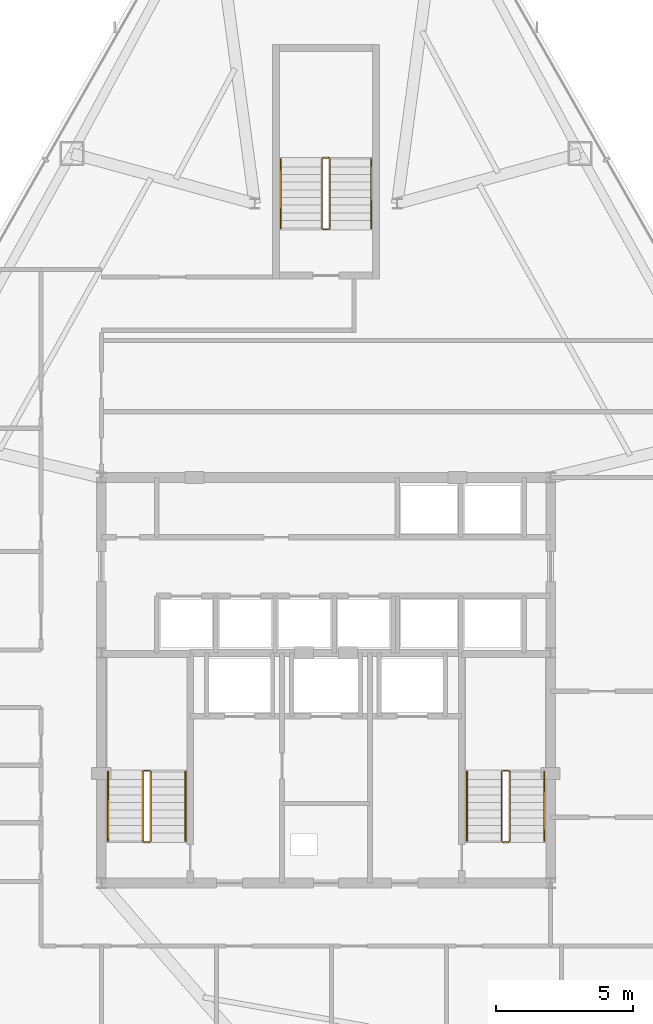
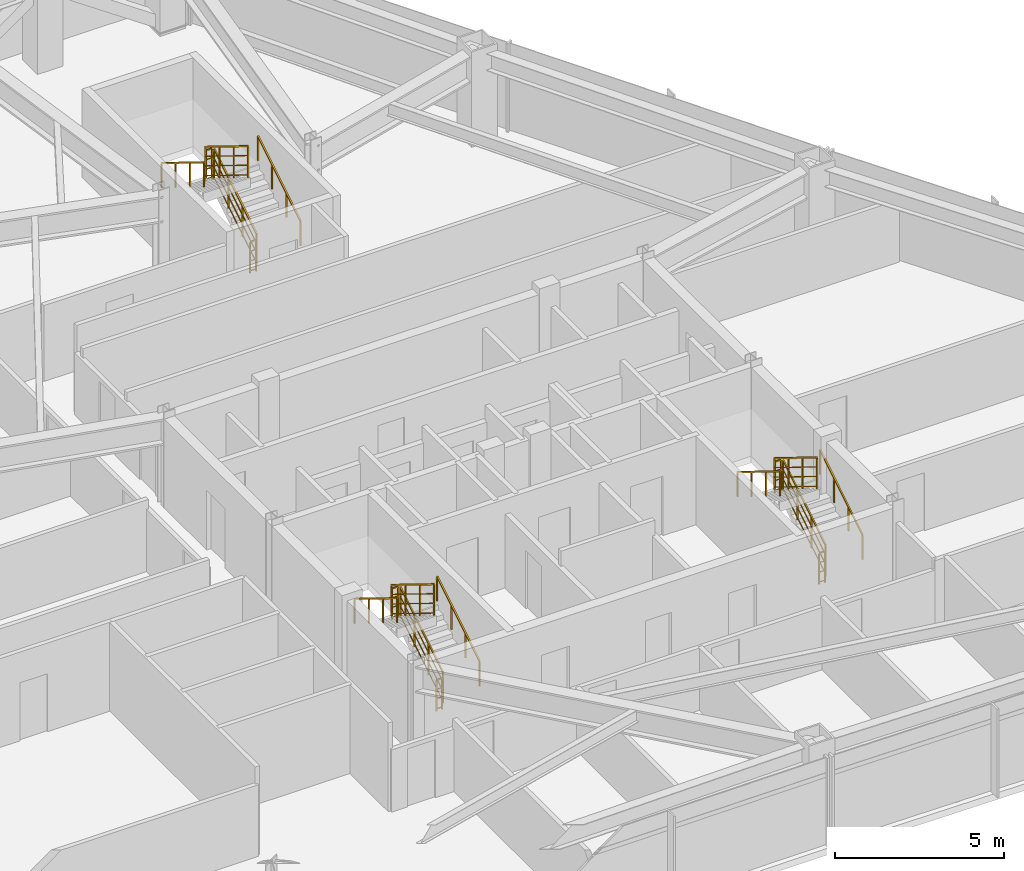
# One storey, part 13 of 13: 18 railings.
"""IFC4 building model written with IfcOpenShell, lengths in metres."""

from ifc_helpers import new_model, si_unit, direction, frame, origin, origin_2d, place, context, subcontext, project, spatial, rectangle, extrude, material, type_object, element, save


model = new_model("IFC4")

# Units and contexts
model_context = context("Model", 3, precision=1e-05, world=origin(), true_north=direction((0.0, 1.0)))
body_context = subcontext(model_context, "Body", "Model", "MODEL_VIEW")
ifc_project = project(units=[si_unit("LENGTHUNIT", "METRE"), si_unit("AREAUNIT", "SQUARE_METRE"), si_unit("VOLUMEUNIT", "CUBIC_METRE"), si_unit("PLANEANGLEUNIT", "RADIAN"), si_unit("MASSUNIT", "GRAM", prefix="KILO")], contexts=[model_context])

# Site, building, storey
site_placement = place(None, origin())
site = spatial("IfcSite", under=ifc_project, at=site_placement, CompositionType="ELEMENT")
building_placement = place(site_placement, origin())
building = spatial("IfcBuilding", under=site, at=building_placement, Name="Varakhsha Concourse Tower", CompositionType="ELEMENT")
storey_placement = place(building_placement, frame((0.0, 0.0, 133.25)))
storey = spatial("IfcBuildingStorey", under=building, at=storey_placement, Name="L38", CompositionType="ELEMENT", Elevation=133.25)

# Railings
ifc_material = material(Name="Brushed Austenitic Stainless Steel AISI 316", Category="steel")
railing_type_1 = type_object("IfcRailingType", Name="RL-STAIR-GUARD-1100", PredefinedType="GUARDRAIL", material=ifc_material)
railing_1_placement = place(storey_placement, frame((33.610107421875, 17.93994140625, 0.172607421875)))
element("IfcRailing", 1, at=railing_1_placement, inside=storey, type_object=railing_type_1, Name="L38 ST1 stair guard 1", PredefinedType="GUARDRAIL", context=body_context, shape_type="SweptSolid", body=[
    extrude(rectangle(XDim=0.048095703125, YDim=0.048095703125, at=origin_2d()), frame((0.0, 0.0, 1.1259765625), z_axis=(0.0, 0.851400495292, 0.524516154772), x_axis=(-1.0, 0.0, 0.0)), (0.0, 0.0, 1.0), 2.9599609375),
    extrude(rectangle(XDim=0.028076171875, YDim=0.028076171875, at=origin_2d()), frame((0.0, 0.0, 0.080078125), z_axis=(0.0, 0.851400495292, 0.524516154772), x_axis=(-1.0, 0.0, 0.0)), (0.0, 0.0, 1.0), 2.9599609375),
    extrude(rectangle(XDim=0.028076171875, YDim=0.028076171875, at=origin_2d()), frame((0.0, 0.0, 0.43701171875), z_axis=(0.0, 0.851400495292, 0.524516154772), x_axis=(-1.0, 0.0, 0.0)), (0.0, 0.0, 1.0), 2.9599609375),
    extrude(rectangle(XDim=0.028076171875, YDim=0.028076171875, at=origin_2d()), frame((0.0, 0.0, 0.781982421875), z_axis=(0.0, 0.851400495292, 0.524516154772), x_axis=(-1.0, 0.0, 0.0)), (0.0, 0.0, 1.0), 2.9599609375),
    extrude(rectangle(XDim=0.0419921875, YDim=0.0419921875, at=origin_2d()), origin(), (0.0, 0.0, 1.0), 1.101806640625),
    extrude(rectangle(XDim=0.0419921875, YDim=0.0419921875, at=origin_2d()), frame((0.0, 0.840087890625, 0.517578125)), (0.0, 0.0, 1.0), 1.101806640625),
    extrude(rectangle(XDim=0.0419921875, YDim=0.0419921875, at=origin_2d()), frame((0.0, 1.679931640625, 1.034912109375)), (0.0, 0.0, 1.0), 1.101806640625),
    extrude(rectangle(XDim=0.0419921875, YDim=0.0419921875, at=origin_2d()), frame((0.0, 2.52001953125, 1.552490234375)), (0.0, 0.0, 1.0), 1.101806640625),
])
railing_2_placement = place(storey_placement, frame((33.56005859375, 20.510009765625, 1.72509765625)))
element("IfcRailing", 2, at=railing_2_placement, inside=storey, type_object=railing_type_1, Name="L38 ST1 stair guard 2", PredefinedType="GUARDRAIL", context=body_context, shape_type="SweptSolid", body=[
    extrude(rectangle(XDim=0.048095703125, YDim=0.048095703125, at=origin_2d()), frame((0.0, 0.0, 1.1259765625), z_axis=(-1.0, 0.0, 0.0), x_axis=(0.0, -1.0, 0.0)), (0.0, 0.0, 1.0), 0.199951171875),
    extrude(rectangle(XDim=0.028076171875, YDim=0.028076171875, at=origin_2d()), frame((0.0, 0.0, 0.080078125), z_axis=(-1.0, 0.0, 0.0), x_axis=(0.0, -1.0, 0.0)), (0.0, 0.0, 1.0), 0.199951171875),
    extrude(rectangle(XDim=0.028076171875, YDim=0.028076171875, at=origin_2d()), frame((0.0, 0.0, 0.43701171875), z_axis=(-1.0, 0.0, 0.0), x_axis=(0.0, -1.0, 0.0)), (0.0, 0.0, 1.0), 0.199951171875),
    extrude(rectangle(XDim=0.028076171875, YDim=0.028076171875, at=origin_2d()), frame((0.0, 0.0, 0.781982421875), z_axis=(-1.0, 0.0, 0.0), x_axis=(0.0, -1.0, 0.0)), (0.0, 0.0, 1.0), 0.199951171875),
    extrude(rectangle(XDim=0.0419921875, YDim=0.0419921875, at=origin_2d()), origin(), (0.0, 0.0, 1.0), 1.101806640625),
    extrude(rectangle(XDim=0.0419921875, YDim=0.0419921875, at=origin_2d()), frame((-0.199951171875, 0.0, 0.0)), (0.0, 0.0, 1.0), 1.101806640625),
])
railing_3_placement = place(storey_placement, frame((33.31005859375, 20.4599609375, 1.8974609375)))
element("IfcRailing", 3, at=railing_3_placement, inside=storey, type_object=railing_type_1, Name="L38 ST1 stair guard 3", PredefinedType="GUARDRAIL", context=body_context, shape_type="SweptSolid", body=[
    extrude(rectangle(XDim=0.048095703125, YDim=0.048095703125, at=origin_2d()), frame((0.0, 0.0, 1.1259765625), z_axis=(0.0, -0.851400495292, 0.524516154772), x_axis=(1.0, 0.0, 0.0)), (0.0, 0.0, 1.0), 2.9599609375),
    extrude(rectangle(XDim=0.028076171875, YDim=0.028076171875, at=origin_2d()), frame((0.0, 0.0, 0.080078125), z_axis=(0.0, -0.851400495292, 0.524516154772), x_axis=(1.0, 0.0, 0.0)), (0.0, 0.0, 1.0), 2.9599609375),
    extrude(rectangle(XDim=0.028076171875, YDim=0.028076171875, at=origin_2d()), frame((0.0, 0.0, 0.43701171875), z_axis=(0.0, -0.851400495292, 0.524516154772), x_axis=(1.0, 0.0, 0.0)), (0.0, 0.0, 1.0), 2.9599609375),
    extrude(rectangle(XDim=0.028076171875, YDim=0.028076171875, at=origin_2d()), frame((0.0, 0.0, 0.781982421875), z_axis=(0.0, -0.851400495292, 0.524516154772), x_axis=(1.0, 0.0, 0.0)), (0.0, 0.0, 1.0), 2.9599609375),
    extrude(rectangle(XDim=0.0419921875, YDim=0.0419921875, at=origin_2d()), origin(), (0.0, 0.0, 1.0), 1.101806640625),
    extrude(rectangle(XDim=0.0419921875, YDim=0.0419921875, at=origin_2d()), frame((0.0, -0.840087890625, 0.517578125)), (0.0, 0.0, 1.0), 1.101806640625),
    extrude(rectangle(XDim=0.0419921875, YDim=0.0419921875, at=origin_2d()), frame((0.0, -1.679931640625, 1.034912109375)), (0.0, 0.0, 1.0), 1.101806640625),
    extrude(rectangle(XDim=0.0419921875, YDim=0.0419921875, at=origin_2d()), frame((0.0, -2.52001953125, 1.552490234375)), (0.0, 0.0, 1.0), 1.101806640625),
])
railing_4_placement = place(storey_placement, frame((33.56005859375, 17.889892578125, 0.0)))
element("IfcRailing", 4, at=railing_4_placement, inside=storey, type_object=railing_type_1, Name="L38 ST1 stair guard 4", PredefinedType="GUARDRAIL", context=body_context, shape_type="SweptSolid", body=[
    extrude(rectangle(XDim=0.048095703125, YDim=0.048095703125, at=origin_2d()), frame((0.0, 0.0, 1.1259765625), z_axis=(-1.0, 0.0, 0.0), x_axis=(0.0, -1.0, 0.0)), (0.0, 0.0, 1.0), 0.199951171875),
    extrude(rectangle(XDim=0.028076171875, YDim=0.028076171875, at=origin_2d()), frame((0.0, 0.0, 0.080078125), z_axis=(-1.0, 0.0, 0.0), x_axis=(0.0, -1.0, 0.0)), (0.0, 0.0, 1.0), 0.199951171875),
    extrude(rectangle(XDim=0.028076171875, YDim=0.028076171875, at=origin_2d()), frame((0.0, 0.0, 0.43701171875), z_axis=(-1.0, 0.0, 0.0), x_axis=(0.0, -1.0, 0.0)), (0.0, 0.0, 1.0), 0.199951171875),
    extrude(rectangle(XDim=0.028076171875, YDim=0.028076171875, at=origin_2d()), frame((0.0, 0.0, 0.781982421875), z_axis=(-1.0, 0.0, 0.0), x_axis=(0.0, -1.0, 0.0)), (0.0, 0.0, 1.0), 0.199951171875),
    extrude(rectangle(XDim=0.0419921875, YDim=0.0419921875, at=origin_2d()), origin(), (0.0, 0.0, 1.0), 1.101806640625),
    extrude(rectangle(XDim=0.0419921875, YDim=0.0419921875, at=origin_2d()), frame((-0.199951171875, 0.0, 0.0)), (0.0, 0.0, 1.0), 1.101806640625),
])
railing_5_placement = place(storey_placement, frame((46.7099609375, 17.93994140625, 0.172607421875)))
element("IfcRailing", 5, at=railing_5_placement, inside=storey, type_object=railing_type_1, Name="L38 ST2 stair guard 1", PredefinedType="GUARDRAIL", context=body_context, shape_type="SweptSolid", body=[
    extrude(rectangle(XDim=0.048095703125, YDim=0.048095703125, at=origin_2d()), frame((0.0, 0.0, 1.1259765625), z_axis=(0.0, 0.851400495292, 0.524516154772), x_axis=(-1.0, 0.0, 0.0)), (0.0, 0.0, 1.0), 2.9599609375),
    extrude(rectangle(XDim=0.028076171875, YDim=0.028076171875, at=origin_2d()), frame((0.0, 0.0, 0.080078125), z_axis=(0.0, 0.851400495292, 0.524516154772), x_axis=(-1.0, 0.0, 0.0)), (0.0, 0.0, 1.0), 2.9599609375),
    extrude(rectangle(XDim=0.028076171875, YDim=0.028076171875, at=origin_2d()), frame((0.0, 0.0, 0.43701171875), z_axis=(0.0, 0.851400495292, 0.524516154772), x_axis=(-1.0, 0.0, 0.0)), (0.0, 0.0, 1.0), 2.9599609375),
    extrude(rectangle(XDim=0.028076171875, YDim=0.028076171875, at=origin_2d()), frame((0.0, 0.0, 0.781982421875), z_axis=(0.0, 0.851400495292, 0.524516154772), x_axis=(-1.0, 0.0, 0.0)), (0.0, 0.0, 1.0), 2.9599609375),
    extrude(rectangle(XDim=0.0419921875, YDim=0.0419921875, at=origin_2d()), origin(), (0.0, 0.0, 1.0), 1.101806640625),
    extrude(rectangle(XDim=0.0419921875, YDim=0.0419921875, at=origin_2d()), frame((0.0, 0.840087890625, 0.517578125)), (0.0, 0.0, 1.0), 1.101806640625),
    extrude(rectangle(XDim=0.0419921875, YDim=0.0419921875, at=origin_2d()), frame((0.0, 1.679931640625, 1.034912109375)), (0.0, 0.0, 1.0), 1.101806640625),
    extrude(rectangle(XDim=0.0419921875, YDim=0.0419921875, at=origin_2d()), frame((0.0, 2.52001953125, 1.552490234375)), (0.0, 0.0, 1.0), 1.101806640625),
])
railing_6_placement = place(storey_placement, frame((46.659912109375, 20.510009765625, 1.72509765625)))
element("IfcRailing", 6, at=railing_6_placement, inside=storey, type_object=railing_type_1, Name="L38 ST2 stair guard 2", PredefinedType="GUARDRAIL", context=body_context, shape_type="SweptSolid", body=[
    extrude(rectangle(XDim=0.048095703125, YDim=0.048095703125, at=origin_2d()), frame((0.0, 0.0, 1.1259765625), z_axis=(-1.0, 0.0, 0.0), x_axis=(0.0, -1.0, 0.0)), (0.0, 0.0, 1.0), 0.199951171875),
    extrude(rectangle(XDim=0.028076171875, YDim=0.028076171875, at=origin_2d()), frame((0.0, 0.0, 0.080078125), z_axis=(-1.0, 0.0, 0.0), x_axis=(0.0, -1.0, 0.0)), (0.0, 0.0, 1.0), 0.199951171875),
    extrude(rectangle(XDim=0.028076171875, YDim=0.028076171875, at=origin_2d()), frame((0.0, 0.0, 0.43701171875), z_axis=(-1.0, 0.0, 0.0), x_axis=(0.0, -1.0, 0.0)), (0.0, 0.0, 1.0), 0.199951171875),
    extrude(rectangle(XDim=0.028076171875, YDim=0.028076171875, at=origin_2d()), frame((0.0, 0.0, 0.781982421875), z_axis=(-1.0, 0.0, 0.0), x_axis=(0.0, -1.0, 0.0)), (0.0, 0.0, 1.0), 0.199951171875),
    extrude(rectangle(XDim=0.0419921875, YDim=0.0419921875, at=origin_2d()), origin(), (0.0, 0.0, 1.0), 1.101806640625),
    extrude(rectangle(XDim=0.0419921875, YDim=0.0419921875, at=origin_2d()), frame((-0.199951171875, 0.0, 0.0)), (0.0, 0.0, 1.0), 1.101806640625),
])
railing_7_placement = place(storey_placement, frame((46.409912109375, 20.4599609375, 1.8974609375)))
element("IfcRailing", 7, at=railing_7_placement, inside=storey, type_object=railing_type_1, Name="L38 ST2 stair guard 3", PredefinedType="GUARDRAIL", context=body_context, shape_type="SweptSolid", body=[
    extrude(rectangle(XDim=0.048095703125, YDim=0.048095703125, at=origin_2d()), frame((0.0, 0.0, 1.1259765625), z_axis=(0.0, -0.851400495292, 0.524516154772), x_axis=(1.0, 0.0, 0.0)), (0.0, 0.0, 1.0), 2.9599609375),
    extrude(rectangle(XDim=0.028076171875, YDim=0.028076171875, at=origin_2d()), frame((0.0, 0.0, 0.080078125), z_axis=(0.0, -0.851400495292, 0.524516154772), x_axis=(1.0, 0.0, 0.0)), (0.0, 0.0, 1.0), 2.9599609375),
    extrude(rectangle(XDim=0.028076171875, YDim=0.028076171875, at=origin_2d()), frame((0.0, 0.0, 0.43701171875), z_axis=(0.0, -0.851400495292, 0.524516154772), x_axis=(1.0, 0.0, 0.0)), (0.0, 0.0, 1.0), 2.9599609375),
    extrude(rectangle(XDim=0.028076171875, YDim=0.028076171875, at=origin_2d()), frame((0.0, 0.0, 0.781982421875), z_axis=(0.0, -0.851400495292, 0.524516154772), x_axis=(1.0, 0.0, 0.0)), (0.0, 0.0, 1.0), 2.9599609375),
    extrude(rectangle(XDim=0.0419921875, YDim=0.0419921875, at=origin_2d()), origin(), (0.0, 0.0, 1.0), 1.101806640625),
    extrude(rectangle(XDim=0.0419921875, YDim=0.0419921875, at=origin_2d()), frame((0.0, -0.840087890625, 0.517578125)), (0.0, 0.0, 1.0), 1.101806640625),
    extrude(rectangle(XDim=0.0419921875, YDim=0.0419921875, at=origin_2d()), frame((0.0, -1.679931640625, 1.034912109375)), (0.0, 0.0, 1.0), 1.101806640625),
    extrude(rectangle(XDim=0.0419921875, YDim=0.0419921875, at=origin_2d()), frame((0.0, -2.52001953125, 1.552490234375)), (0.0, 0.0, 1.0), 1.101806640625),
])
railing_8_placement = place(storey_placement, frame((46.659912109375, 17.889892578125, 0.0)))
element("IfcRailing", 8, at=railing_8_placement, inside=storey, type_object=railing_type_1, Name="L38 ST2 stair guard 4", PredefinedType="GUARDRAIL", context=body_context, shape_type="SweptSolid", body=[
    extrude(rectangle(XDim=0.048095703125, YDim=0.048095703125, at=origin_2d()), frame((0.0, 0.0, 1.1259765625), z_axis=(-1.0, 0.0, 0.0), x_axis=(0.0, -1.0, 0.0)), (0.0, 0.0, 1.0), 0.199951171875),
    extrude(rectangle(XDim=0.028076171875, YDim=0.028076171875, at=origin_2d()), frame((0.0, 0.0, 0.080078125), z_axis=(-1.0, 0.0, 0.0), x_axis=(0.0, -1.0, 0.0)), (0.0, 0.0, 1.0), 0.199951171875),
    extrude(rectangle(XDim=0.028076171875, YDim=0.028076171875, at=origin_2d()), frame((0.0, 0.0, 0.43701171875), z_axis=(-1.0, 0.0, 0.0), x_axis=(0.0, -1.0, 0.0)), (0.0, 0.0, 1.0), 0.199951171875),
    extrude(rectangle(XDim=0.028076171875, YDim=0.028076171875, at=origin_2d()), frame((0.0, 0.0, 0.781982421875), z_axis=(-1.0, 0.0, 0.0), x_axis=(0.0, -1.0, 0.0)), (0.0, 0.0, 1.0), 0.199951171875),
    extrude(rectangle(XDim=0.0419921875, YDim=0.0419921875, at=origin_2d()), origin(), (0.0, 0.0, 1.0), 1.101806640625),
    extrude(rectangle(XDim=0.0419921875, YDim=0.0419921875, at=origin_2d()), frame((-0.199951171875, 0.0, 0.0)), (0.0, 0.0, 1.0), 1.101806640625),
])
railing_9_placement = place(storey_placement, frame((40.14990234375, 40.300048828125, 0.172607421875)))
element("IfcRailing", 9, at=railing_9_placement, inside=storey, type_object=railing_type_1, Name="L38 ST5 stair guard 1", PredefinedType="GUARDRAIL", context=body_context, shape_type="SweptSolid", body=[
    extrude(rectangle(XDim=0.048095703125, YDim=0.048095703125, at=origin_2d()), frame((0.0, 0.0, 1.1259765625), z_axis=(0.0, 0.851400495292, 0.524516154772), x_axis=(-1.0, 0.0, 0.0)), (0.0, 0.0, 1.0), 2.9599609375),
    extrude(rectangle(XDim=0.028076171875, YDim=0.028076171875, at=origin_2d()), frame((0.0, 0.0, 0.080078125), z_axis=(0.0, 0.851400495292, 0.524516154772), x_axis=(-1.0, 0.0, 0.0)), (0.0, 0.0, 1.0), 2.9599609375),
    extrude(rectangle(XDim=0.028076171875, YDim=0.028076171875, at=origin_2d()), frame((0.0, 0.0, 0.43701171875), z_axis=(0.0, 0.851400495292, 0.524516154772), x_axis=(-1.0, 0.0, 0.0)), (0.0, 0.0, 1.0), 2.9599609375),
    extrude(rectangle(XDim=0.028076171875, YDim=0.028076171875, at=origin_2d()), frame((0.0, 0.0, 0.781982421875), z_axis=(0.0, 0.851400495292, 0.524516154772), x_axis=(-1.0, 0.0, 0.0)), (0.0, 0.0, 1.0), 2.9599609375),
    extrude(rectangle(XDim=0.0419921875, YDim=0.0419921875, at=origin_2d()), origin(), (0.0, 0.0, 1.0), 1.101806640625),
    extrude(rectangle(XDim=0.0419921875, YDim=0.0419921875, at=origin_2d()), frame((0.0, 0.840087890625, 0.517578125)), (0.0, 0.0, 1.0), 1.101806640625),
    extrude(rectangle(XDim=0.0419921875, YDim=0.0419921875, at=origin_2d()), frame((0.0, 1.679931640625, 1.034912109375)), (0.0, 0.0, 1.0), 1.101806640625),
    extrude(rectangle(XDim=0.0419921875, YDim=0.0419921875, at=origin_2d()), frame((0.0, 2.52001953125, 1.552490234375)), (0.0, 0.0, 1.0), 1.101806640625),
])
railing_10_placement = place(storey_placement, frame((40.10009765625, 42.8701171875, 1.72509765625)))
element("IfcRailing", 10, at=railing_10_placement, inside=storey, type_object=railing_type_1, Name="L38 ST5 stair guard 2", PredefinedType="GUARDRAIL", context=body_context, shape_type="SweptSolid", body=[
    extrude(rectangle(XDim=0.048095703125, YDim=0.048095703125, at=origin_2d()), frame((0.0, 0.0, 1.1259765625), z_axis=(-1.0, 0.0, 0.0), x_axis=(0.0, -1.0, 0.0)), (0.0, 0.0, 1.0), 0.2001953125),
    extrude(rectangle(XDim=0.028076171875, YDim=0.028076171875, at=origin_2d()), frame((0.0, 0.0, 0.080078125), z_axis=(-1.0, 0.0, 0.0), x_axis=(0.0, -1.0, 0.0)), (0.0, 0.0, 1.0), 0.2001953125),
    extrude(rectangle(XDim=0.028076171875, YDim=0.028076171875, at=origin_2d()), frame((0.0, 0.0, 0.43701171875), z_axis=(-1.0, 0.0, 0.0), x_axis=(0.0, -1.0, 0.0)), (0.0, 0.0, 1.0), 0.2001953125),
    extrude(rectangle(XDim=0.028076171875, YDim=0.028076171875, at=origin_2d()), frame((0.0, 0.0, 0.781982421875), z_axis=(-1.0, 0.0, 0.0), x_axis=(0.0, -1.0, 0.0)), (0.0, 0.0, 1.0), 0.2001953125),
    extrude(rectangle(XDim=0.0419921875, YDim=0.0419921875, at=origin_2d()), origin(), (0.0, 0.0, 1.0), 1.101806640625),
    extrude(rectangle(XDim=0.0419921875, YDim=0.0419921875, at=origin_2d()), frame((-0.2001953125, 0.0, 0.0)), (0.0, 0.0, 1.0), 1.101806640625),
])
railing_11_placement = place(storey_placement, frame((39.85009765625, 42.820068359375, 1.8974609375)))
element("IfcRailing", 11, at=railing_11_placement, inside=storey, type_object=railing_type_1, Name="L38 ST5 stair guard 3", PredefinedType="GUARDRAIL", context=body_context, shape_type="SweptSolid", body=[
    extrude(rectangle(XDim=0.048095703125, YDim=0.048095703125, at=origin_2d()), frame((0.0, 0.0, 1.1259765625), z_axis=(0.0, -0.851400495292, 0.524516154772), x_axis=(1.0, 0.0, 0.0)), (0.0, 0.0, 1.0), 2.9599609375),
    extrude(rectangle(XDim=0.028076171875, YDim=0.028076171875, at=origin_2d()), frame((0.0, 0.0, 0.080078125), z_axis=(0.0, -0.851400495292, 0.524516154772), x_axis=(1.0, 0.0, 0.0)), (0.0, 0.0, 1.0), 2.9599609375),
    extrude(rectangle(XDim=0.028076171875, YDim=0.028076171875, at=origin_2d()), frame((0.0, 0.0, 0.43701171875), z_axis=(0.0, -0.851400495292, 0.524516154772), x_axis=(1.0, 0.0, 0.0)), (0.0, 0.0, 1.0), 2.9599609375),
    extrude(rectangle(XDim=0.028076171875, YDim=0.028076171875, at=origin_2d()), frame((0.0, 0.0, 0.781982421875), z_axis=(0.0, -0.851400495292, 0.524516154772), x_axis=(1.0, 0.0, 0.0)), (0.0, 0.0, 1.0), 2.9599609375),
    extrude(rectangle(XDim=0.0419921875, YDim=0.0419921875, at=origin_2d()), origin(), (0.0, 0.0, 1.0), 1.101806640625),
    extrude(rectangle(XDim=0.0419921875, YDim=0.0419921875, at=origin_2d()), frame((0.0, -0.840087890625, 0.517578125)), (0.0, 0.0, 1.0), 1.101806640625),
    extrude(rectangle(XDim=0.0419921875, YDim=0.0419921875, at=origin_2d()), frame((0.0, -1.679931640625, 1.034912109375)), (0.0, 0.0, 1.0), 1.101806640625),
    extrude(rectangle(XDim=0.0419921875, YDim=0.0419921875, at=origin_2d()), frame((0.0, -2.52001953125, 1.552490234375)), (0.0, 0.0, 1.0), 1.101806640625),
])
railing_12_placement = place(storey_placement, frame((40.10009765625, 40.25, 0.0)))
element("IfcRailing", 12, at=railing_12_placement, inside=storey, type_object=railing_type_1, Name="L38 ST5 stair guard 4", PredefinedType="GUARDRAIL", context=body_context, shape_type="SweptSolid", body=[
    extrude(rectangle(XDim=0.048095703125, YDim=0.048095703125, at=origin_2d()), frame((0.0, 0.0, 1.1259765625), z_axis=(-1.0, 0.0, 0.0), x_axis=(0.0, -1.0, 0.0)), (0.0, 0.0, 1.0), 0.2001953125),
    extrude(rectangle(XDim=0.028076171875, YDim=0.028076171875, at=origin_2d()), frame((0.0, 0.0, 0.080078125), z_axis=(-1.0, 0.0, 0.0), x_axis=(0.0, -1.0, 0.0)), (0.0, 0.0, 1.0), 0.2001953125),
    extrude(rectangle(XDim=0.028076171875, YDim=0.028076171875, at=origin_2d()), frame((0.0, 0.0, 0.43701171875), z_axis=(-1.0, 0.0, 0.0), x_axis=(0.0, -1.0, 0.0)), (0.0, 0.0, 1.0), 0.2001953125),
    extrude(rectangle(XDim=0.028076171875, YDim=0.028076171875, at=origin_2d()), frame((0.0, 0.0, 0.781982421875), z_axis=(-1.0, 0.0, 0.0), x_axis=(0.0, -1.0, 0.0)), (0.0, 0.0, 1.0), 0.2001953125),
    extrude(rectangle(XDim=0.0419921875, YDim=0.0419921875, at=origin_2d()), origin(), (0.0, 0.0, 1.0), 1.101806640625),
    extrude(rectangle(XDim=0.0419921875, YDim=0.0419921875, at=origin_2d()), frame((-0.2001953125, 0.0, 0.0)), (0.0, 0.0, 1.0), 1.101806640625),
])
railing_type_2 = type_object("IfcRailingType", Name="RL-STAIR-RAIL-915", PredefinedType="HANDRAIL", material=ifc_material)
railing_13_placement = place(storey_placement, frame((34.8701171875, 17.93994140625, 0.344970703125)))
element("IfcRailing", 13, at=railing_13_placement, inside=storey, type_object=railing_type_2, Name="L38 ST1 stair handrail 1", PredefinedType="HANDRAIL", context=body_context, shape_type="SweptSolid", body=[
    extrude(rectangle(XDim=0.048095703125, YDim=0.048095703125, at=origin_2d()), frame((0.0, 0.0, 0.89111328125), z_axis=(0.0, 0.851400495292, 0.524516154772), x_axis=(-1.0, 0.0, 0.0)), (0.0, 0.0, 1.0), 2.9599609375),
    extrude(rectangle(XDim=0.0419921875, YDim=0.0419921875, at=origin_2d()), origin(), (0.0, 0.0, 1.0), 0.866943359375),
    extrude(rectangle(XDim=0.0419921875, YDim=0.0419921875, at=origin_2d()), frame((0.0, 0.840087890625, 0.517578125)), (0.0, 0.0, 1.0), 0.866943359375),
    extrude(rectangle(XDim=0.0419921875, YDim=0.0419921875, at=origin_2d()), frame((0.0, 1.679931640625, 1.034912109375)), (0.0, 0.0, 1.0), 0.866943359375),
    extrude(rectangle(XDim=0.0419921875, YDim=0.0419921875, at=origin_2d()), frame((0.0, 2.52001953125, 1.552490234375)), (0.0, 0.0, 1.0), 0.866943359375),
])
railing_14_placement = place(storey_placement, frame((32.050048828125, 20.4599609375, 2.070068359375)))
element("IfcRailing", 14, at=railing_14_placement, inside=storey, type_object=railing_type_2, Name="L38 ST1 stair handrail 2", PredefinedType="HANDRAIL", context=body_context, shape_type="SweptSolid", body=[
    extrude(rectangle(XDim=0.048095703125, YDim=0.048095703125, at=origin_2d()), frame((0.0, 0.0, 0.89111328125), z_axis=(0.0, -0.851400495292, 0.524516154772), x_axis=(1.0, 0.0, 0.0)), (0.0, 0.0, 1.0), 2.9599609375),
    extrude(rectangle(XDim=0.0419921875, YDim=0.0419921875, at=origin_2d()), origin(), (0.0, 0.0, 1.0), 0.866943359375),
    extrude(rectangle(XDim=0.0419921875, YDim=0.0419921875, at=origin_2d()), frame((0.0, -0.840087890625, 0.517578125)), (0.0, 0.0, 1.0), 0.866943359375),
    extrude(rectangle(XDim=0.0419921875, YDim=0.0419921875, at=origin_2d()), frame((0.0, -1.679931640625, 1.034912109375)), (0.0, 0.0, 1.0), 0.866943359375),
    extrude(rectangle(XDim=0.0419921875, YDim=0.0419921875, at=origin_2d()), frame((0.0, -2.52001953125, 1.552490234375)), (0.0, 0.0, 1.0), 0.866943359375),
])
railing_15_placement = place(storey_placement, frame((47.969970703125, 17.93994140625, 0.344970703125)))
element("IfcRailing", 15, at=railing_15_placement, inside=storey, type_object=railing_type_2, Name="L38 ST2 stair handrail 1", PredefinedType="HANDRAIL", context=body_context, shape_type="SweptSolid", body=[
    extrude(rectangle(XDim=0.048095703125, YDim=0.048095703125, at=origin_2d()), frame((0.0, 0.0, 0.89111328125), z_axis=(0.0, 0.851400495292, 0.524516154772), x_axis=(-1.0, 0.0, 0.0)), (0.0, 0.0, 1.0), 2.9599609375),
    extrude(rectangle(XDim=0.0419921875, YDim=0.0419921875, at=origin_2d()), origin(), (0.0, 0.0, 1.0), 0.866943359375),
    extrude(rectangle(XDim=0.0419921875, YDim=0.0419921875, at=origin_2d()), frame((0.0, 0.840087890625, 0.517578125)), (0.0, 0.0, 1.0), 0.866943359375),
    extrude(rectangle(XDim=0.0419921875, YDim=0.0419921875, at=origin_2d()), frame((0.0, 1.679931640625, 1.034912109375)), (0.0, 0.0, 1.0), 0.866943359375),
    extrude(rectangle(XDim=0.0419921875, YDim=0.0419921875, at=origin_2d()), frame((0.0, 2.52001953125, 1.552490234375)), (0.0, 0.0, 1.0), 0.866943359375),
])
railing_16_placement = place(storey_placement, frame((45.14990234375, 20.4599609375, 2.070068359375)))
element("IfcRailing", 16, at=railing_16_placement, inside=storey, type_object=railing_type_2, Name="L38 ST2 stair handrail 2", PredefinedType="HANDRAIL", context=body_context, shape_type="SweptSolid", body=[
    extrude(rectangle(XDim=0.048095703125, YDim=0.048095703125, at=origin_2d()), frame((0.0, 0.0, 0.89111328125), z_axis=(0.0, -0.851400495292, 0.524516154772), x_axis=(1.0, 0.0, 0.0)), (0.0, 0.0, 1.0), 2.9599609375),
    extrude(rectangle(XDim=0.0419921875, YDim=0.0419921875, at=origin_2d()), origin(), (0.0, 0.0, 1.0), 0.866943359375),
    extrude(rectangle(XDim=0.0419921875, YDim=0.0419921875, at=origin_2d()), frame((0.0, -0.840087890625, 0.517578125)), (0.0, 0.0, 1.0), 0.866943359375),
    extrude(rectangle(XDim=0.0419921875, YDim=0.0419921875, at=origin_2d()), frame((0.0, -1.679931640625, 1.034912109375)), (0.0, 0.0, 1.0), 0.866943359375),
    extrude(rectangle(XDim=0.0419921875, YDim=0.0419921875, at=origin_2d()), frame((0.0, -2.52001953125, 1.552490234375)), (0.0, 0.0, 1.0), 0.866943359375),
])
railing_17_placement = place(storey_placement, frame((41.64990234375, 40.300048828125, 0.344970703125)))
element("IfcRailing", 17, at=railing_17_placement, inside=storey, type_object=railing_type_2, Name="L38 ST5 stair handrail 1", PredefinedType="HANDRAIL", context=body_context, shape_type="SweptSolid", body=[
    extrude(rectangle(XDim=0.048095703125, YDim=0.048095703125, at=origin_2d()), frame((0.0, 0.0, 0.89111328125), z_axis=(0.0, 0.851400495292, 0.524516154772), x_axis=(-1.0, 0.0, 0.0)), (0.0, 0.0, 1.0), 2.9599609375),
    extrude(rectangle(XDim=0.0419921875, YDim=0.0419921875, at=origin_2d()), origin(), (0.0, 0.0, 1.0), 0.866943359375),
    extrude(rectangle(XDim=0.0419921875, YDim=0.0419921875, at=origin_2d()), frame((0.0, 0.840087890625, 0.517578125)), (0.0, 0.0, 1.0), 0.866943359375),
    extrude(rectangle(XDim=0.0419921875, YDim=0.0419921875, at=origin_2d()), frame((0.0, 1.679931640625, 1.034912109375)), (0.0, 0.0, 1.0), 0.866943359375),
    extrude(rectangle(XDim=0.0419921875, YDim=0.0419921875, at=origin_2d()), frame((0.0, 2.52001953125, 1.552490234375)), (0.0, 0.0, 1.0), 0.866943359375),
])
railing_18_placement = place(storey_placement, frame((38.35009765625, 42.820068359375, 2.070068359375)))
element("IfcRailing", 18, at=railing_18_placement, inside=storey, type_object=railing_type_2, Name="L38 ST5 stair handrail 2", PredefinedType="HANDRAIL", context=body_context, shape_type="SweptSolid", body=[
    extrude(rectangle(XDim=0.048095703125, YDim=0.048095703125, at=origin_2d()), frame((0.0, 0.0, 0.89111328125), z_axis=(0.0, -0.851400495292, 0.524516154772), x_axis=(1.0, 0.0, 0.0)), (0.0, 0.0, 1.0), 2.9599609375),
    extrude(rectangle(XDim=0.0419921875, YDim=0.0419921875, at=origin_2d()), origin(), (0.0, 0.0, 1.0), 0.866943359375),
    extrude(rectangle(XDim=0.0419921875, YDim=0.0419921875, at=origin_2d()), frame((0.0, -0.840087890625, 0.517578125)), (0.0, 0.0, 1.0), 0.866943359375),
    extrude(rectangle(XDim=0.0419921875, YDim=0.0419921875, at=origin_2d()), frame((0.0, -1.679931640625, 1.034912109375)), (0.0, 0.0, 1.0), 0.866943359375),
    extrude(rectangle(XDim=0.0419921875, YDim=0.0419921875, at=origin_2d()), frame((0.0, -2.52001953125, 1.552490234375)), (0.0, 0.0, 1.0), 0.866943359375),
])

save(model, "model.ifc")
